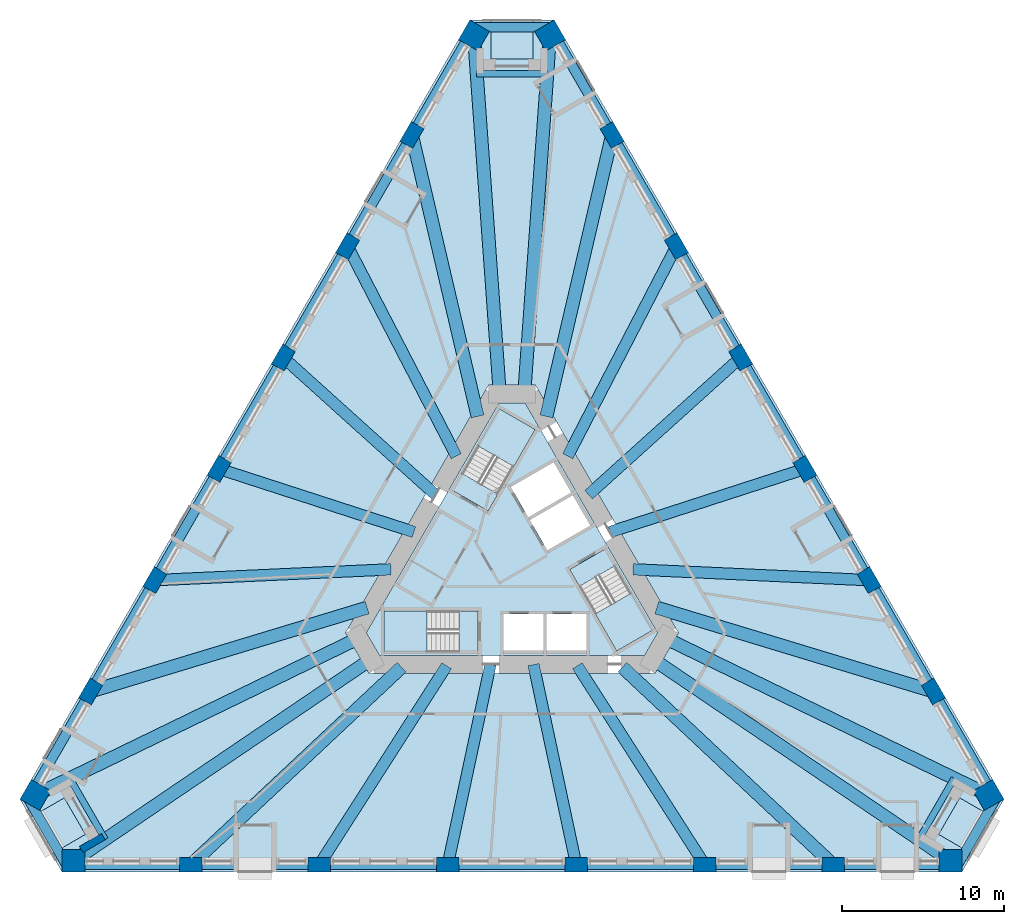
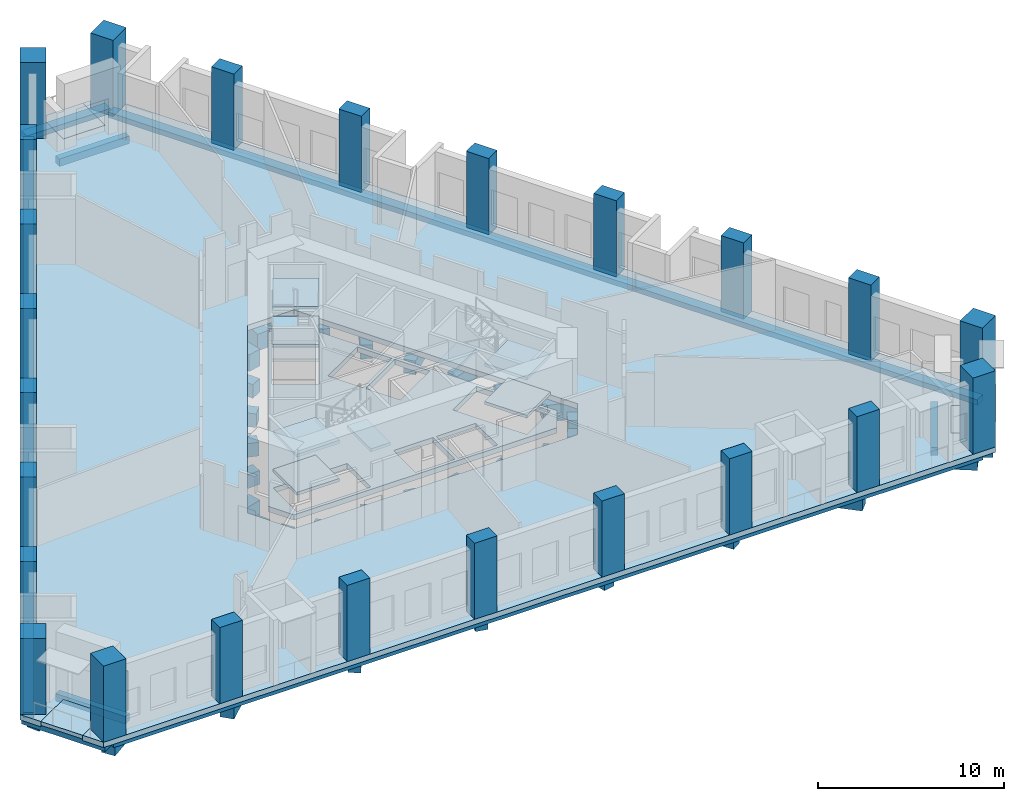
# One storey, part 1 of 12: 33 beams, 24 columns, 14 slabs, 1 wall, 3 elements without a shape of their own.
"""IFC4 building model written with IfcOpenShell, lengths in metres."""

from ifc_helpers import new_model, si_unit, direction, frame, frame_2d, origin, origin_2d, place, context, subcontext, project, spatial, polyline, rectangle, outline, extrude, material, layer, layer_set, material_profile, profile_set, type_object, element, aggregate, save


model = new_model("IFC4")

# Units and contexts
model_context = context("Model", 3, precision=1e-05, world=origin(), true_north=direction((0.0, 1.0)))
body_context = subcontext(model_context, "Body", "Model", "MODEL_VIEW")
ifc_project = project(units=[si_unit("LENGTHUNIT", "METRE"), si_unit("AREAUNIT", "SQUARE_METRE"), si_unit("VOLUMEUNIT", "CUBIC_METRE"), si_unit("PLANEANGLEUNIT", "RADIAN"), si_unit("MASSUNIT", "GRAM", prefix="KILO")], contexts=[model_context])

# Site, building, storey
site_placement = place(None, origin())
site = spatial("IfcSite", under=ifc_project, at=site_placement, CompositionType="ELEMENT")
building_placement = place(site_placement, origin())
building = spatial("IfcBuilding", under=site, at=building_placement, Name="Tramontana Tower", CompositionType="ELEMENT")
storey_placement = place(building_placement, frame((0.0, 0.0, 25.0)))
storey = spatial("IfcBuildingStorey", under=building, at=storey_placement, Name="L04", CompositionType="ELEMENT", Elevation=25.0)

# Columns
ifc_material_1 = material(Name="Concrete 70 MPa", Category="concrete")
ifc_material_profile_1 = material_profile(ifc_material_1, rectangle(XDim=1.39990234375, YDim=1.39990234375, at=origin_2d()), Name="Mega column 1400X1400 70 MPa")
ifc_profile_set_1 = profile_set([ifc_material_profile_1], Name="Concrete 70 MPa")
column_type_1 = type_object("IfcColumnType", Name="Mega column 1400X1400 70 MPa", PredefinedType="COLUMN", material=ifc_profile_set_1)
for number, where, z_axis, x_axis, name in (
    (1, (-2.341796875, 32.543701171875, 0.0), (0.0, 0.0, 1.0), (-0.5, -0.866025403784, 0.0), "Mega column C0K1 L04"),
    (2, (-29.354736328125, -14.243896484375, 0.0), (0.0, 0.0, 1.0), (-0.5, -0.866025403784, 0.0), "Mega column C0K2 L04"),
    (3, (-27.0126953125, -18.300048828125, 0.0), (0.0, 0.0, 1.0), (1.0, 0.0, 0.0), "Mega column C0K3 L04"),
    (4, (27.0126953125, -18.300048828125, 0.0), (0.0, 0.0, 1.0), (1.0, 0.0, 0.0), "Mega column C0K4 L04"),
    (5, (29.354736328125, -14.243896484375, 0.0), (0.0, 0.0, 1.0), (-0.5, 0.866025403784, 0.0), "Mega column C0K5 L04"),
    (6, (2.341796875, 32.543701171875, 0.0), (0.0, 0.0, 1.0), (-0.5, 0.866025403784, 0.0), "Mega column C0K6 L04"),
):
    element("IfcColumn", number, at=place(storey_placement, frame(where, z_axis=z_axis, x_axis=x_axis)), inside=storey, type_object=column_type_1, Name=name, PredefinedType="COLUMN", context=body_context, shape_type="SweptSolid", body=[
        extrude(rectangle(XDim=1.39990234375, YDim=1.39990234375, at=origin_2d()), origin(), (0.0, 0.0, 1.0), 5.0),
    ])
ifc_material_2 = material(Name="Concrete 55 MPa", Category="concrete")
ifc_material_profile_2 = material_profile(ifc_material_2, rectangle(XDim=1.39990234375, YDim=0.89990234375, at=origin_2d()), Name="Pier column 1400X900 55 MPa")
ifc_profile_set_2 = profile_set([ifc_material_profile_2], Name="Concrete 55 MPa")
column_type_2 = type_object("IfcColumnType", Name="Pier column 1400X900 55 MPa", PredefinedType="COLUMN", material=ifc_profile_set_2)
for number, where, z_axis, x_axis, name in (
    (7, (-6.167236328125, 26.41796875, 0.0), (0.0, 0.0, 1.0), (-0.5, -0.866025403784, 0.0), "Pier column C0F01 L04"),
    (8, (-10.126220703125, 19.560791015625, 0.0), (0.0, 0.0, 1.0), (-0.5, -0.866025403784, 0.0), "Pier column C0F02 L04"),
    (9, (-14.085205078125, 12.70361328125, 0.0), (0.0, 0.0, 1.0), (-0.5, -0.866025403784, 0.0), "Pier column C0F03 L04"),
    (10, (-18.044189453125, 5.846435546875, 0.0), (0.0, 0.0, 1.0), (-0.5, -0.866025403784, 0.0), "Pier column C0F04 L04"),
    (11, (-22.003173828125, -1.0107421875, 0.0), (0.0, 0.0, 1.0), (-0.5, -0.866025403784, 0.0), "Pier column C0F05 L04"),
    (12, (-25.962158203125, -7.867919921875, 0.0), (0.0, 0.0, 1.0), (-0.5, -0.866025403784, 0.0), "Pier column C0F06 L04"),
    (13, (-19.794921875, -18.550048828125, 0.0), (0.0, 0.0, 1.0), (1.0, 0.0, 0.0), "Pier column C0F07 L04"),
    (14, (-11.876953125, -18.550048828125, 0.0), (0.0, 0.0, 1.0), (1.0, 0.0, 0.0), "Pier column C0F08 L04"),
    (15, (-3.958984375, -18.550048828125, 0.0), (0.0, 0.0, 1.0), (1.0, 0.0, 0.0), "Pier column C0F09 L04"),
    (16, (3.958984375, -18.550048828125, 0.0), (0.0, 0.0, 1.0), (1.0, 0.0, 0.0), "Pier column C0F10 L04"),
    (17, (11.876953125, -18.550048828125, 0.0), (0.0, 0.0, 1.0), (1.0, 0.0, 0.0), "Pier column C0F11 L04"),
    (18, (19.794921875, -18.550048828125, 0.0), (0.0, 0.0, 1.0), (1.0, 0.0, 0.0), "Pier column C0F12 L04"),
    (19, (25.962158203125, -7.867919921875, 0.0), (0.0, 0.0, 1.0), (-0.5, 0.866025403784, 0.0), "Pier column C0F13 L04"),
    (20, (22.003173828125, -1.0107421875, 0.0), (0.0, 0.0, 1.0), (-0.5, 0.866025403784, 0.0), "Pier column C0F14 L04"),
    (21, (18.044189453125, 5.846435546875, 0.0), (0.0, 0.0, 1.0), (-0.5, 0.866025403784, 0.0), "Pier column C0F15 L04"),
    (22, (14.085205078125, 12.70361328125, 0.0), (0.0, 0.0, 1.0), (-0.5, 0.866025403784, 0.0), "Pier column C0F16 L04"),
    (23, (10.126220703125, 19.560791015625, 0.0), (0.0, 0.0, 1.0), (-0.5, 0.866025403784, 0.0), "Pier column C0F17 L04"),
    (24, (6.167236328125, 26.41796875, 0.0), (0.0, 0.0, 1.0), (-0.5, 0.866025403784, 0.0), "Pier column C0F18 L04"),
):
    element("IfcColumn", number, at=place(storey_placement, frame(where, z_axis=z_axis, x_axis=x_axis)), inside=storey, type_object=column_type_2, Name=name, PredefinedType="COLUMN", context=body_context, shape_type="SweptSolid", body=[
        extrude(rectangle(XDim=1.39990234375, YDim=0.89990234375, at=origin_2d()), origin(), (0.0, 0.0, 1.0), 5.0),
    ])

# Beams
ifc_material_3 = material(Name="Concrete 40 MPa", Category="concrete")
ifc_material_profile_3 = material_profile(ifc_material_3, rectangle(XDim=0.60009765625, YDim=0.35009765625, at=origin_2d()), Name="RC EDGE BEAM 600X350 40 MPa")
ifc_profile_set_3 = profile_set([ifc_material_profile_3], Name="Concrete 40 MPa")
beam_type_1 = type_object("IfcBeamType", Name="RC EDGE BEAM 600X350 40 MPa", PredefinedType="SPANDREL", material=ifc_profile_set_3)
beam_1_placement = place(storey_placement, frame((-2.558349609375, 32.668701171875, -0.52490234375), z_axis=(-0.500001490283, -0.866024543367, 0.0), x_axis=(0.866024543367, -0.500001490283, 0.0)))
element("IfcBeam", 25, at=beam_1_placement, inside=storey, type_object=beam_type_1, Name="Spandrel beam S0 L04", PredefinedType="SPANDREL", context=body_context, shape_type="SweptSolid", body=[
    extrude(rectangle(XDim=0.60009765625, YDim=0.35009765625, at=origin_2d()), origin(), (0.0, 0.0, 1.0), 54.025634765625),
])
beam_2_placement = place(storey_placement, frame((-27.0126953125, -18.550048828125, -0.52490234375), z_axis=(1.0, 0.0, 0.0), x_axis=(0.0, 1.0, 0.0)))
element("IfcBeam", 26, at=beam_2_placement, inside=storey, type_object=beam_type_1, Name="Spandrel beam S1 L04", PredefinedType="SPANDREL", context=body_context, shape_type="SweptSolid", body=[
    extrude(rectangle(XDim=0.60009765625, YDim=0.35009765625, at=origin_2d()), origin(), (0.0, 0.0, 1.0), 54.025390625),
])
beam_3_placement = place(storey_placement, frame((29.5712890625, -14.118896484375, -0.52490234375), z_axis=(-0.500001490283, 0.866024543367, 0.0), x_axis=(-0.866024543367, -0.500001490283, 0.0)))
element("IfcBeam", 27, at=beam_3_placement, inside=storey, type_object=beam_type_1, Name="Spandrel beam S2 L04", PredefinedType="SPANDREL", context=body_context, shape_type="SweptSolid", body=[
    extrude(rectangle(XDim=0.60009765625, YDim=0.35009765625, at=origin_2d()), origin(), (0.0, 0.0, 1.0), 54.025634765625),
])
for number, where, z_axis, x_axis, name in (
    (28, (2.59814453125, 33.050048828125, -0.52490234375), (-1.0, 0.0, 0.0), (0.0, -1.0, 0.0), "Spandrel beam K0 L04"),
    (29, (-29.921142578125, -14.27490234375, -0.52490234375), (0.50000986103, -0.866019710441, 0.0), (0.866019710441, 0.50000986103, 0.0), "Spandrel beam K1 L04"),
    (30, (27.322998046875, -18.77490234375, -0.52490234375), (0.50000986103, 0.866019710441, 0.0), (-0.866019710441, 0.50000986103, 0.0), "Spandrel beam K2 L04"),
):
    element("IfcBeam", number, at=place(storey_placement, frame(where, z_axis=z_axis, x_axis=x_axis)), inside=storey, type_object=beam_type_1, Name=name, PredefinedType="SPANDREL", context=body_context, shape_type="SweptSolid", body=[
        extrude(rectangle(XDim=0.60009765625, YDim=0.35009765625, at=origin_2d()), origin(), (0.0, 0.0, 1.0), 5.1962890625),
    ])
ifc_material_4 = material(Name="Concrete 40 MPa", Category="concrete")
ifc_material_profile_4 = material_profile(ifc_material_4, rectangle(XDim=0.699951171875, YDim=0.89990234375, at=origin_2d()), Name="RC GIRDER 700X900 40 MPa")
ifc_profile_set_4 = profile_set([ifc_material_profile_4], Name="Concrete 40 MPa")
beam_type_2 = type_object("IfcBeamType", Name="RC GIRDER 700X900 40 MPa", PredefinedType="BEAM", material=ifc_profile_set_4)
beam_4_placement = place(storey_placement, frame((-10.126220703125, 19.560791015625, -0.800048828125), z_axis=(0.459730770714, -0.88805834181, 0.0), x_axis=(0.88805834181, 0.459730770714, 0.0)))
element("IfcBeam", 31, at=beam_4_placement, inside=storey, type_object=beam_type_2, Name="Radial girder C0F02 L04", PredefinedType="BEAM", context=body_context, shape_type="SweptSolid", body=[
    extrude(rectangle(XDim=0.699951171875, YDim=0.89990234375, at=origin_2d()), origin(), (0.0, 0.0, 1.0), 14.5615234375),
])
beam_5_placement = place(storey_placement, frame((-14.085205078125, 12.70361328125, -0.800048828125), z_axis=(0.742588406407, -0.669748056116, 0.0), x_axis=(0.669748056116, 0.742588406407, 0.0)))
element("IfcBeam", 32, at=beam_5_placement, inside=storey, type_object=beam_type_2, Name="Radial girder C0F03 L04", PredefinedType="BEAM", context=body_context, shape_type="SweptSolid", body=[
    extrude(rectangle(XDim=0.699951171875, YDim=0.89990234375, at=origin_2d()), origin(), (0.0, 0.0, 1.0), 12.615966796875),
])
beam_6_placement = place(storey_placement, frame((-18.044189453125, 5.846435546875, -0.800048828125), z_axis=(0.951314408854, -0.30822215285, 0.0), x_axis=(0.30822215285, 0.951314408854, 0.0)))
element("IfcBeam", 33, at=beam_6_placement, inside=storey, type_object=beam_type_2, Name="Radial girder C0F04 L04", PredefinedType="BEAM", context=body_context, shape_type="SweptSolid", body=[
    extrude(rectangle(XDim=0.699951171875, YDim=0.89990234375, at=origin_2d()), origin(), (0.0, 0.0, 1.0), 12.61572265625),
])
for number, where, z_axis, x_axis, name in (
    (34, (-22.003173828125, -1.0107421875, -0.800048828125), (0.998946541736, 0.045889070085, 0.0), (-0.045889070085, 0.998946541736, 0.0), "Radial girder C0F05 L04"),
    (35, (-11.876953125, -18.550048828125, -0.800048828125), (0.539217827497, 0.84216633423, 0.0), (-0.84216633423, 0.539217827497, 0.0), "Radial girder C0F08 L04"),
):
    element("IfcBeam", number, at=place(storey_placement, frame(where, z_axis=z_axis, x_axis=x_axis)), inside=storey, type_object=beam_type_2, Name=name, PredefinedType="BEAM", context=body_context, shape_type="SweptSolid", body=[
        extrude(rectangle(XDim=0.699951171875, YDim=0.89990234375, at=origin_2d()), origin(), (0.0, 0.0, 1.0), 14.5615234375),
    ])
for number, where, z_axis, x_axis, name in (
    (36, (-3.958984375, -18.550048828125, -0.800048828125), (0.208730772127, 0.977973141128, 0.0), (-0.977973141128, 0.208730772127, 0.0), "Radial girder C0F09 L04"),
    (37, (3.958984375, -18.550048828125, -0.800048828125), (-0.208730772127, 0.977973141128, 0.0), (-0.977973141128, -0.208730772127, 0.0), "Radial girder C0F10 L04"),
):
    element("IfcBeam", number, at=place(storey_placement, frame(where, z_axis=z_axis, x_axis=x_axis)), inside=storey, type_object=beam_type_2, Name=name, PredefinedType="BEAM", context=body_context, shape_type="SweptSolid", body=[
        extrude(rectangle(XDim=0.699951171875, YDim=0.89990234375, at=origin_2d()), origin(), (0.0, 0.0, 1.0), 12.61572265625),
    ])
for number, where, z_axis, x_axis, name in (
    (38, (11.876953125, -18.550048828125, -0.800048828125), (-0.539217827497, 0.84216633423, 0.0), (-0.84216633423, -0.539217827497, 0.0), "Radial girder C0F11 L04"),
    (39, (22.003173828125, -1.0107421875, -0.800048828125), (-0.998946541736, 0.045889070085, 0.0), (-0.045889070085, -0.998946541736, 0.0), "Radial girder C0F14 L04"),
):
    element("IfcBeam", number, at=place(storey_placement, frame(where, z_axis=z_axis, x_axis=x_axis)), inside=storey, type_object=beam_type_2, Name=name, PredefinedType="BEAM", context=body_context, shape_type="SweptSolid", body=[
        extrude(rectangle(XDim=0.699951171875, YDim=0.89990234375, at=origin_2d()), origin(), (0.0, 0.0, 1.0), 14.5615234375),
    ])
beam_7_placement = place(storey_placement, frame((18.044189453125, 5.846435546875, -0.800048828125), z_axis=(-0.951314408854, -0.30822215285, 0.0), x_axis=(0.30822215285, -0.951314408854, 0.0)))
element("IfcBeam", 40, at=beam_7_placement, inside=storey, type_object=beam_type_2, Name="Radial girder C0F15 L04", PredefinedType="BEAM", context=body_context, shape_type="SweptSolid", body=[
    extrude(rectangle(XDim=0.699951171875, YDim=0.89990234375, at=origin_2d()), origin(), (0.0, 0.0, 1.0), 12.61572265625),
])
beam_8_placement = place(storey_placement, frame((14.085205078125, 12.70361328125, -0.800048828125), z_axis=(-0.742588406407, -0.669748056116, 0.0), x_axis=(0.669748056116, -0.742588406407, 0.0)))
element("IfcBeam", 41, at=beam_8_placement, inside=storey, type_object=beam_type_2, Name="Radial girder C0F16 L04", PredefinedType="BEAM", context=body_context, shape_type="SweptSolid", body=[
    extrude(rectangle(XDim=0.699951171875, YDim=0.89990234375, at=origin_2d()), origin(), (0.0, 0.0, 1.0), 12.615966796875),
])
beam_9_placement = place(storey_placement, frame((10.126220703125, 19.560791015625, -0.800048828125), z_axis=(-0.459730770714, -0.88805834181, 0.0), x_axis=(0.88805834181, -0.459730770714, 0.0)))
element("IfcBeam", 42, at=beam_9_placement, inside=storey, type_object=beam_type_2, Name="Radial girder C0F17 L04", PredefinedType="BEAM", context=body_context, shape_type="SweptSolid", body=[
    extrude(rectangle(XDim=0.699951171875, YDim=0.89990234375, at=origin_2d()), origin(), (0.0, 0.0, 1.0), 14.5615234375),
])
ifc_material_5 = material(Name="Concrete 40 MPa", Category="concrete")
ifc_material_profile_5 = material_profile(ifc_material_5, rectangle(XDim=0.800048828125, YDim=1.10009765625, at=origin_2d()), Name="RC GIRDER 800X1100 40 MPa")
ifc_profile_set_5 = profile_set([ifc_material_profile_5], Name="Concrete 40 MPa")
beam_type_3 = type_object("IfcBeamType", Name="RC GIRDER 800X1100 40 MPa", PredefinedType="BEAM", material=ifc_profile_set_5)
beam_10_placement = place(storey_placement, frame((-2.341796875, 32.543701171875, -0.89990234375), z_axis=(0.071767165612, -0.997421412413, 0.0), x_axis=(0.997421412413, 0.071767165612, 0.0)))
element("IfcBeam", 43, at=beam_10_placement, inside=storey, type_object=beam_type_3, Name="Radial girder C0K1 L04", PredefinedType="BEAM", context=body_context, shape_type="SweptSolid", body=[
    extrude(rectangle(XDim=0.800048828125, YDim=1.10009765625, at=origin_2d()), origin(), (0.0, 0.0, 1.0), 22.1494140625),
])
beam_11_placement = place(storey_placement, frame((-6.167236328125, 26.41796875, -0.89990234375), z_axis=(0.227334068495, -0.973816831494, 0.0), x_axis=(0.973816831494, 0.227334068495, 0.0)))
element("IfcBeam", 44, at=beam_11_placement, inside=storey, type_object=beam_type_3, Name="Radial girder C0F01 L04", PredefinedType="BEAM", context=body_context, shape_type="SweptSolid", body=[
    extrude(rectangle(XDim=0.800048828125, YDim=1.10009765625, at=origin_2d()), origin(), (0.0, 0.0, 1.0), 17.806884765625),
])
beam_12_placement = place(storey_placement, frame((-25.962158203125, -7.867919921875, -0.89990234375), z_axis=(0.95701990712, 0.290022236004, 0.0), x_axis=(-0.290022236004, 0.95701990712, 0.0)))
element("IfcBeam", 45, at=beam_12_placement, inside=storey, type_object=beam_type_3, Name="Radial girder C0F06 L04", PredefinedType="BEAM", context=body_context, shape_type="SweptSolid", body=[
    extrude(rectangle(XDim=0.800048828125, YDim=1.10009765625, at=origin_2d()), origin(), (0.0, 0.0, 1.0), 17.806640625),
])
beam_13_placement = place(storey_placement, frame((-29.354736328125, -14.243896484375, -0.89990234375), z_axis=(0.899679009302, 0.436552036098, 0.0), x_axis=(-0.436552036098, 0.899679009302, 0.0)))
element("IfcBeam", 46, at=beam_13_placement, inside=storey, type_object=beam_type_3, Name="Radial girder C0K2 L04", PredefinedType="BEAM", context=body_context, shape_type="SweptSolid", body=[
    extrude(rectangle(XDim=0.800048828125, YDim=1.10009765625, at=origin_2d()), origin(), (0.0, 0.0, 1.0), 22.149658203125),
])
beam_14_placement = place(storey_placement, frame((-27.0126953125, -18.300048828125, -0.89990234375), z_axis=(0.827898052271, 0.560878609903, 0.0), x_axis=(-0.560878609903, 0.827898052271, 0.0)))
element("IfcBeam", 47, at=beam_14_placement, inside=storey, type_object=beam_type_3, Name="Radial girder C0K3 L04", PredefinedType="BEAM", context=body_context, shape_type="SweptSolid", body=[
    extrude(rectangle(XDim=0.800048828125, YDim=1.10009765625, at=origin_2d()), origin(), (0.0, 0.0, 1.0), 22.1494140625),
])
for number, where, z_axis, x_axis, name in (
    (48, (-19.794921875, -18.550048828125, -0.89990234375), (0.72967229952, 0.683796998614, 0.0), (-0.683796998614, 0.72967229952, 0.0), "Radial girder C0F07 L04"),
    (49, (19.794921875, -18.550048828125, -0.89990234375), (-0.72967229952, 0.683796998614, 0.0), (-0.683796998614, -0.72967229952, 0.0), "Radial girder C0F12 L04"),
):
    element("IfcBeam", number, at=place(storey_placement, frame(where, z_axis=z_axis, x_axis=x_axis)), inside=storey, type_object=beam_type_3, Name=name, PredefinedType="BEAM", context=body_context, shape_type="SweptSolid", body=[
        extrude(rectangle(XDim=0.800048828125, YDim=1.10009765625, at=origin_2d()), origin(), (0.0, 0.0, 1.0), 17.806884765625),
    ])
beam_15_placement = place(storey_placement, frame((27.0126953125, -18.300048828125, -0.89990234375), z_axis=(-0.827898052271, 0.560878609903, 0.0), x_axis=(-0.560878609903, -0.827898052271, 0.0)))
element("IfcBeam", 50, at=beam_15_placement, inside=storey, type_object=beam_type_3, Name="Radial girder C0K4 L04", PredefinedType="BEAM", context=body_context, shape_type="SweptSolid", body=[
    extrude(rectangle(XDim=0.800048828125, YDim=1.10009765625, at=origin_2d()), origin(), (0.0, 0.0, 1.0), 22.1494140625),
])
beam_16_placement = place(storey_placement, frame((29.354736328125, -14.243896484375, -0.89990234375), z_axis=(-0.899679009302, 0.436552036098, 0.0), x_axis=(-0.436552036098, -0.899679009302, 0.0)))
element("IfcBeam", 51, at=beam_16_placement, inside=storey, type_object=beam_type_3, Name="Radial girder C0K5 L04", PredefinedType="BEAM", context=body_context, shape_type="SweptSolid", body=[
    extrude(rectangle(XDim=0.800048828125, YDim=1.10009765625, at=origin_2d()), origin(), (0.0, 0.0, 1.0), 22.149658203125),
])
beam_17_placement = place(storey_placement, frame((25.962158203125, -7.867919921875, -0.89990234375), z_axis=(-0.95701990712, 0.290022236004, 0.0), x_axis=(-0.290022236004, -0.95701990712, 0.0)))
element("IfcBeam", 52, at=beam_17_placement, inside=storey, type_object=beam_type_3, Name="Radial girder C0F13 L04", PredefinedType="BEAM", context=body_context, shape_type="SweptSolid", body=[
    extrude(rectangle(XDim=0.800048828125, YDim=1.10009765625, at=origin_2d()), origin(), (0.0, 0.0, 1.0), 17.806640625),
])
beam_18_placement = place(storey_placement, frame((6.167236328125, 26.41796875, -0.89990234375), z_axis=(-0.227334068495, -0.973816831494, 0.0), x_axis=(0.973816831494, -0.227334068495, 0.0)))
element("IfcBeam", 53, at=beam_18_placement, inside=storey, type_object=beam_type_3, Name="Radial girder C0F18 L04", PredefinedType="BEAM", context=body_context, shape_type="SweptSolid", body=[
    extrude(rectangle(XDim=0.800048828125, YDim=1.10009765625, at=origin_2d()), origin(), (0.0, 0.0, 1.0), 17.806884765625),
])
beam_19_placement = place(storey_placement, frame((2.341796875, 32.543701171875, -0.89990234375), z_axis=(-0.071767165612, -0.997421412413, 0.0), x_axis=(0.997421412413, -0.071767165612, 0.0)))
element("IfcBeam", 54, at=beam_19_placement, inside=storey, type_object=beam_type_3, Name="Radial girder C0K6 L04", PredefinedType="BEAM", context=body_context, shape_type="SweptSolid", body=[
    extrude(rectangle(XDim=0.800048828125, YDim=1.10009765625, at=origin_2d()), origin(), (0.0, 0.0, 1.0), 22.1494140625),
])
ifc_material_6 = material(Name="Concrete 40 MPa", Category="concrete")
ifc_material_profile_6 = material_profile(ifc_material_6, rectangle(XDim=0.39990234375, YDim=0.5, at=origin_2d()), Name="RC TRIM BEAM 400X500 40 MPa")
ifc_profile_set_6 = profile_set([ifc_material_profile_6], Name="Concrete 40 MPa")
beam_type_4 = type_object("IfcBeamType", Name="RC TRIM BEAM 400X500 40 MPa", PredefinedType="JOIST", material=ifc_profile_set_6)
for number, where, z_axis, x_axis, name in (
    (55, (2.173095703125, 30.199951171875, -0.60009765625), (-1.0, 0.0, 0.0), (0.0, -1.0, 0.0), "Trimmer beam K0 L04"),
    (56, (-27.240478515625, -13.218017578125, -0.60009765625), (0.499999616612, -0.866025625133, 0.0), (0.866025625133, 0.499999616612, 0.0), "Trimmer beam K1 L04"),
    (57, (25.0673828125, -16.98193359375, -0.60009765625), (0.499999616612, 0.866025625133, 0.0), (-0.866025625133, 0.499999616612, 0.0), "Trimmer beam K2 L04"),
):
    element("IfcBeam", number, at=place(storey_placement, frame(where, z_axis=z_axis, x_axis=x_axis)), inside=storey, type_object=beam_type_4, Name=name, PredefinedType="JOIST", context=body_context, shape_type="SweptSolid", body=[
        extrude(rectangle(XDim=0.39990234375, YDim=0.5, at=origin_2d()), origin(), (0.0, 0.0, 1.0), 4.34619140625),
    ])

# Slabs
ifc_material_7 = material(Name="Precast concrete 50 MPa", Category="concrete")
ifc_layer_1 = layer(ifc_material_7, 0.25)
ifc_layer_set_1 = layer_set([ifc_layer_1], Name="LT1 Loggia floor tray 250")
slab_type_1 = type_object("IfcSlabType", Name="LT1 Loggia floor tray 250", PredefinedType="FLOOR", material=ifc_layer_set_1)
slab_1_placement = place(storey_placement, frame((0.0, 0.0, -0.25)))
element("IfcSlab", 58, at=slab_1_placement, inside=storey, type_object=slab_type_1, Name="Corner loggia floor L04 K00", PredefinedType="FLOOR", context=body_context, shape_type="SweptSolid", body=[
    extrude(outline(polyline([(1.300048828125, 33.5), (1.300048828125, 31.10009765625), (-1.300048828125, 31.10009765625), (-1.300048828125, 33.5), (1.300048828125, 33.5)])), origin(), (0.0, 0.0, 1.0), 0.25),
])
slab_2_placement = place(storey_placement, frame((0.0, 0.0, -0.25)))
element("IfcSlab", 59, at=slab_2_placement, inside=storey, type_object=slab_type_1, Name="Corner loggia floor L04 K01", PredefinedType="FLOOR", context=body_context, shape_type="SweptSolid", body=[
    extrude(outline(polyline([(-29.661865234375, -15.624267578125), (-27.58349609375, -14.424072265625), (-26.283447265625, -16.67578125), (-28.36181640625, -17.875732421875), (-29.661865234375, -15.624267578125)])), origin(), (0.0, 0.0, 1.0), 0.25),
])
slab_3_placement = place(storey_placement, frame((0.0, 0.0, -0.25)))
element("IfcSlab", 60, at=slab_3_placement, inside=storey, type_object=slab_type_1, Name="Corner loggia floor L04 K02", PredefinedType="FLOOR", context=body_context, shape_type="SweptSolid", body=[
    extrude(outline(polyline([(28.36181640625, -17.875732421875), (26.283447265625, -16.67578125), (27.58349609375, -14.424072265625), (29.661865234375, -15.624267578125), (28.36181640625, -17.875732421875)])), origin(), (0.0, 0.0, 1.0), 0.25),
])
ifc_material_8 = material(Name="Concrete 40 MPa", Category="concrete")
ifc_layer_2 = layer(ifc_material_8, 0.35009765625)
ifc_layer_set_2 = layer_set([ifc_layer_2], Name="PT FLAT SLAB 350 40 MPa")
slab_type_2 = type_object("IfcSlabType", Name="PT FLAT SLAB 350 40 MPa", PredefinedType="FLOOR", material=ifc_layer_set_2)
slab_4_placement = place(storey_placement, frame((0.0, 0.0, -0.35009765625)))
element("IfcSlab", 61, at=slab_4_placement, inside=storey, type_object=slab_type_2, Name="Floor slab L04", PredefinedType="FLOOR", context=body_context, shape_type="SweptSolid", body=[
    extrude(outline(polyline([(29.661865234375, -15.624267578125), (27.58349609375, -14.42431640625), (26.283447265625, -16.67578125), (28.36181640625, -17.875732421875), (27.712890625, -19.0), (-27.712890625, -19.0), (-28.36181640625, -17.875732421875), (-26.283447265625, -16.67578125), (-27.58349609375, -14.42431640625), (-29.661865234375, -15.624267578125), (-30.310791015625, -14.5), (-2.59814453125, 33.5), (-1.300048828125, 33.5), (-1.300048828125, 31.10009765625), (1.300048828125, 31.10009765625), (1.300048828125, 33.5), (2.59814453125, 33.5), (30.310791015625, -14.5), (29.661865234375, -15.624267578125)]), holes=[polyline([(-10.248046875, -4.25), (-8.8046875, -6.75), (8.8046875, -6.75), (10.248046875, -4.25), (1.443359375, 11.0), (-1.443359375, 11.0), (-10.248046875, -4.25)])]), origin(), (0.0, 0.0, 1.0), 0.35009765625),
])
slab_5_placement = place(storey_placement, frame((0.0, 0.0, -0.35009765625)))
element("IfcSlab", 62, at=slab_5_placement, inside=storey, type_object=slab_type_2, Name="Core floor slab L04", PredefinedType="FLOOR", context=body_context, shape_type="SweptSolid", body=[
    extrude(outline(polyline([(8.977783203125, -4.25), (8.16943359375, -5.64990234375), (-8.16943359375, -5.64990234375), (-8.977783203125, -4.25), (-0.808349609375, 9.89990234375), (0.808349609375, 9.89990234375), (8.977783203125, -4.25)]), holes=[polyline([(8.659912109375, -4.099365234375), (6.35986328125, -0.115478515625), (4.151611328125, -1.390625), (6.451416015625, -5.374267578125), (8.659912109375, -4.099365234375)]), polyline([(3.829833984375, 4.2666015625), (1.101806640625, 2.69140625), (2.177001953125, 0.82958984375), (4.90478515625, 2.404541015625), (3.829833984375, 4.2666015625)]), polyline([(4.590087890625, -3.10009765625), (2.139892578125, -3.10009765625), (2.139892578125, -5.449951171875), (4.590087890625, -5.449951171875), (4.590087890625, -3.10009765625)]), polyline([(2.65478515625, 6.3017578125), (-0.072998046875, 4.726806640625), (1.001953125, 2.86474609375), (3.729736328125, 4.439697265625), (2.65478515625, 6.3017578125)]), polyline([(1.93994140625, -5.449951171875), (1.93994140625, -3.10009765625), (-0.510009765625, -3.10009765625), (-0.510009765625, -5.449951171875), (1.93994140625, -5.449951171875)]), polyline([(-0.77978515625, 9.54931640625), (-3.079833984375, 5.565673828125), (-0.87158203125, 4.29052734375), (1.428466796875, 8.2744140625), (-0.77978515625, 9.54931640625)]), polyline([(-7.8798828125, -5.449951171875), (-3.280029296875, -5.449951171875), (-3.280029296875, -2.89990234375), (-7.8798828125, -2.89990234375), (-7.8798828125, -5.449951171875)])]), origin(), (0.0, 0.0, 1.0), 0.35009765625),
])

# Stair, slabs
ifc_material_9 = material(Name="Concrete 40 MPa", Category="concrete")
stair_type = type_object("IfcStairType", Name="EXIT STAIR 32 RISERS", PredefinedType="HALF_TURN_STAIR", material=ifc_material_9)
stair_1_placement = place(storey_placement, origin())
stair_1 = element("IfcStair", 63, at=stair_1_placement, inside=storey, type_object=stair_type, Name="L04 Exit stair ST1", PredefinedType="HALF_TURN_STAIR")
ifc_material_10 = material(Name="Concrete 40 MPa", Category="concrete")
ifc_layer_3 = layer(ifc_material_10, 0.199951171875)
ifc_layer_set_3 = layer_set([ifc_layer_3], Name="STAIR LANDING 200")
slab_type_3 = type_object("IfcSlabType", Name="STAIR LANDING 200", PredefinedType="LANDING", material=ifc_layer_set_3)
slab_6_placement = place(storey_placement, frame((0.0, 0.0, 1.050048828125)))
slab_6 = element("IfcSlab", 64, at=slab_6_placement, type_object=slab_type_3, Name="ST1 landing 1", PredefinedType="LANDING", context=body_context, shape_type="SweptSolid", body=[
    extrude(outline(polyline([(0.108642578125, 5.988037109375), (1.428466796875, 8.274169921875), (-0.77978515625, 9.54931640625), (-2.099853515625, 7.262939453125), (0.108642578125, 5.988037109375)])), origin(), (0.0, 0.0, 1.0), 0.199951171875),
])
slab_7_placement = place(storey_placement, frame((0.0, 0.0, 2.300048828125)))
slab_7 = element("IfcSlab", 65, at=slab_7_placement, type_object=slab_type_3, Name="ST1 landing 2", PredefinedType="LANDING", context=body_context, shape_type="SweptSolid", body=[
    extrude(outline(polyline([(-1.471435546875, 3.251220703125), (-0.87158203125, 4.29052734375), (-3.079833984375, 5.565673828125), (-3.679931640625, 4.5263671875), (-1.471435546875, 3.251220703125)])), origin(), (0.0, 0.0, 1.0), 0.199951171875),
])
slab_8_placement = place(storey_placement, frame((0.0, 0.0, 3.550048828125)))
slab_8 = element("IfcSlab", 66, at=slab_8_placement, type_object=slab_type_3, Name="ST1 landing 3", PredefinedType="LANDING", context=body_context, shape_type="SweptSolid", body=[
    extrude(outline(polyline([(0.108642578125, 5.988037109375), (1.428466796875, 8.274169921875), (-0.77978515625, 9.54931640625), (-2.099853515625, 7.262939453125), (0.108642578125, 5.988037109375)])), origin(), (0.0, 0.0, 1.0), 0.199951171875),
])
aggregate(stair_1, [slab_6, slab_7, slab_8])

stair_2_placement = place(storey_placement, origin())
stair_2 = element("IfcStair", 67, at=stair_2_placement, inside=storey, type_object=stair_type, Name="L04 Exit stair ST2", PredefinedType="HALF_TURN_STAIR")
slab_9_placement = place(storey_placement, frame((0.0, 0.0, 1.050048828125)))
slab_9 = element("IfcSlab", 68, at=slab_9_placement, type_object=slab_type_3, Name="ST2 landing 1", PredefinedType="LANDING", context=body_context, shape_type="SweptSolid", body=[
    extrude(outline(polyline([(-5.239990234375, -2.89990234375), (-7.8798828125, -2.89990234375), (-7.8798828125, -5.449951171875), (-5.239990234375, -5.449951171875), (-5.239990234375, -2.89990234375)])), origin(), (0.0, 0.0, 1.0), 0.199951171875),
])
slab_10_placement = place(storey_placement, frame((0.0, 0.0, 2.300048828125)))
slab_10 = element("IfcSlab", 69, at=slab_10_placement, type_object=slab_type_3, Name="ST2 landing 2", PredefinedType="LANDING", context=body_context, shape_type="SweptSolid", body=[
    extrude(outline(polyline([(-2.080078125, -2.89990234375), (-3.280029296875, -2.89990234375), (-3.280029296875, -5.449951171875), (-2.080078125, -5.449951171875), (-2.080078125, -2.89990234375)])), origin(), (0.0, 0.0, 1.0), 0.199951171875),
])
slab_11_placement = place(storey_placement, frame((0.0, 0.0, 3.550048828125)))
slab_11 = element("IfcSlab", 70, at=slab_11_placement, type_object=slab_type_3, Name="ST2 landing 3", PredefinedType="LANDING", context=body_context, shape_type="SweptSolid", body=[
    extrude(outline(polyline([(-5.239990234375, -2.89990234375), (-7.8798828125, -2.89990234375), (-7.8798828125, -5.449951171875), (-5.239990234375, -5.449951171875), (-5.239990234375, -2.89990234375)])), origin(), (0.0, 0.0, 1.0), 0.199951171875),
])
aggregate(stair_2, [slab_9, slab_10, slab_11])

stair_3_placement = place(storey_placement, origin())
stair_3 = element("IfcStair", 71, at=stair_3_placement, inside=storey, type_object=stair_type, Name="L04 Exit stair ST3", PredefinedType="HALF_TURN_STAIR")
slab_12_placement = place(storey_placement, frame((0.0, 0.0, 1.050048828125)))
slab_12 = element("IfcSlab", 72, at=slab_12_placement, type_object=slab_type_3, Name="ST3 landing 1", PredefinedType="LANDING", context=body_context, shape_type="SweptSolid", body=[
    extrude(outline(polyline([(5.131591796875, -3.087890625), (6.451416015625, -5.374267578125), (8.659912109375, -4.099365234375), (7.33984375, -1.81298828125), (5.131591796875, -3.087890625)])), origin(), (0.0, 0.0, 1.0), 0.199951171875),
])
slab_13_placement = place(storey_placement, frame((0.0, 0.0, 2.300048828125)))
slab_13 = element("IfcSlab", 73, at=slab_13_placement, type_object=slab_type_3, Name="ST3 landing 2", PredefinedType="LANDING", context=body_context, shape_type="SweptSolid", body=[
    extrude(outline(polyline([(3.551513671875, -0.351318359375), (4.1513671875, -1.390625), (6.35986328125, -0.115478515625), (5.759765625, 0.923583984375), (3.551513671875, -0.351318359375)])), origin(), (0.0, 0.0, 1.0), 0.199951171875),
])
slab_14_placement = place(storey_placement, frame((0.0, 0.0, 3.550048828125)))
slab_14 = element("IfcSlab", 74, at=slab_14_placement, type_object=slab_type_3, Name="ST3 landing 3", PredefinedType="LANDING", context=body_context, shape_type="SweptSolid", body=[
    extrude(outline(polyline([(5.131591796875, -3.087890625), (6.451416015625, -5.374267578125), (8.659912109375, -4.099365234375), (7.33984375, -1.81298828125), (5.131591796875, -3.087890625)])), origin(), (0.0, 0.0, 1.0), 0.199951171875),
])
aggregate(stair_3, [slab_12, slab_13, slab_14])

# Wall
ifc_material_11 = material(Name="Precast concrete 60 MPa", Category="concrete")
ifc_layer_4 = layer(ifc_material_11, 0.449951171875)
ifc_layer_set_4 = layer_set([ifc_layer_4], Name="Precast concrete 60 MPa, 450 mm")
wall_type = type_object("IfcWallType", Name="EW1 Stone-faced precast wall 450", PredefinedType="SOLIDWALL", material=ifc_layer_set_4)
wall_placement = place(storey_placement, frame((-26.5341796875, -17.60009765625, 0.0), z_axis=(0.0, 0.0, 1.0), x_axis=(0.86597962928, 0.500079275387, 0.0)))
element("IfcWall", 75, at=wall_placement, inside=storey, type_object=wall_type, Name="Corner loggia side wall L04 K01l", PredefinedType="SOLIDWALL", context=body_context, shape_type="SweptSolid", body=[
    extrude(rectangle(XDim=1.579345703125, YDim=0.449951171875, at=frame_2d((0.78955078125, 0.0))), origin(), (0.0, 0.0, 1.0), 2.550048828125),
])

save(model, "model.ifc")
